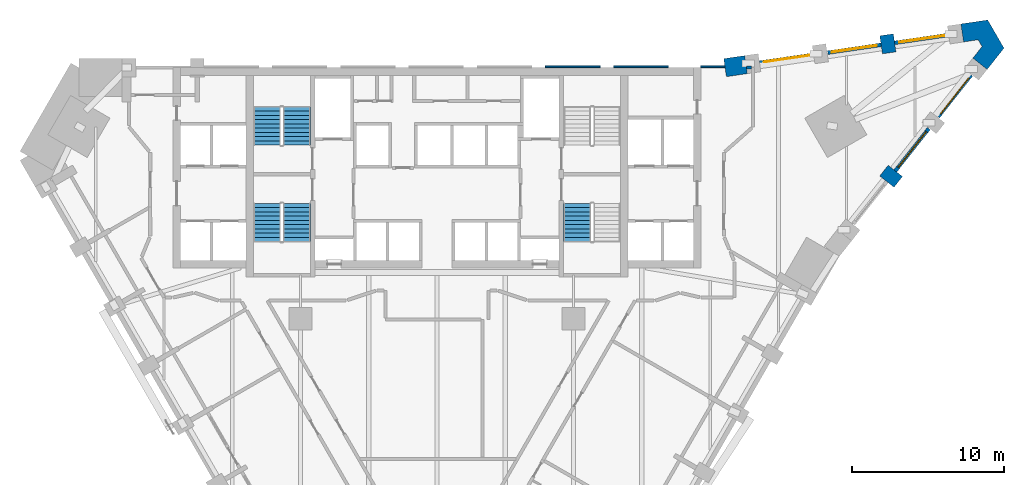
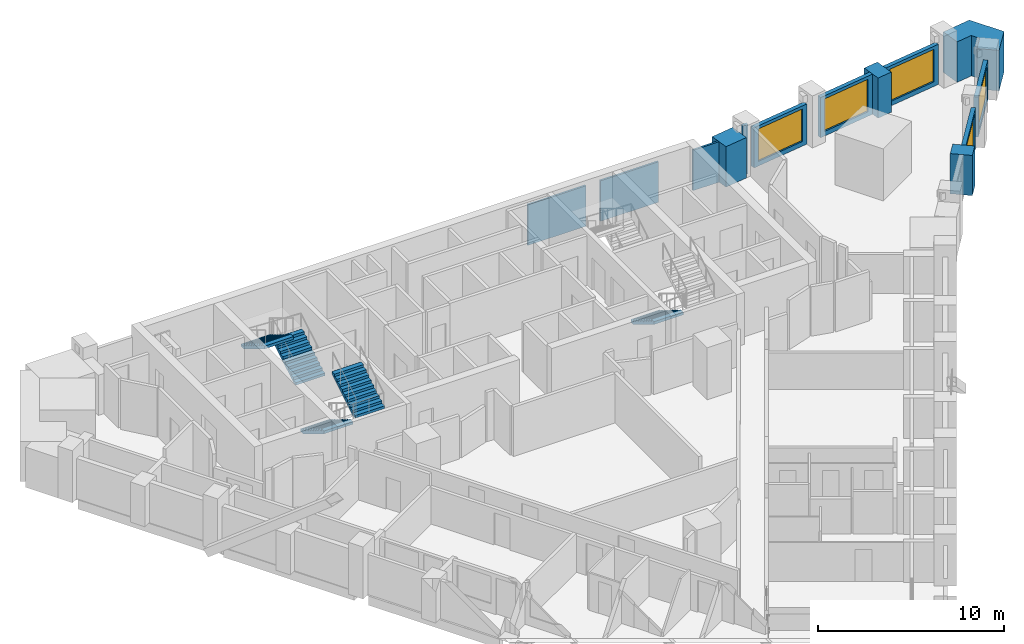
# One storey, part 9 of 11: 13 walls, 5 stair flights, 5 windows, 5 openings, 3 elements without a shape of their own.
"""IFC4 building model written with IfcOpenShell, lengths in metres."""

from ifc_helpers import new_model, si_unit, direction, frame, frame_2d, origin, place, context, subcontext, project, spatial, polyline, rectangle, outline, extrude, faceted_brep, source, transform, mapped, material, layer, layer_set, type_object, element, fill, aggregate, save


model = new_model("IFC4")

# Units and contexts
model_context = context("Model", 3, precision=1e-05, world=origin(), true_north=direction((0.0, 1.0)))
body_context = subcontext(model_context, "Body", "Model", "MODEL_VIEW")
ifc_project = project(units=[si_unit("LENGTHUNIT", "METRE"), si_unit("AREAUNIT", "SQUARE_METRE"), si_unit("VOLUMEUNIT", "CUBIC_METRE"), si_unit("PLANEANGLEUNIT", "RADIAN"), si_unit("MASSUNIT", "GRAM", prefix="KILO")], contexts=[model_context])

# Site, building, storey
site_placement = place(None, origin())
site = spatial("IfcSite", under=ifc_project, at=site_placement, CompositionType="ELEMENT")
building_placement = place(site_placement, origin())
building = spatial("IfcBuilding", under=site, at=building_placement, Name="Calabash Gate Tower", CompositionType="ELEMENT")
storey_placement = place(building_placement, frame((0.0, 0.0, 98.60009765625)))
storey = spatial("IfcBuildingStorey", under=building, at=storey_placement, Name="L21", CompositionType="ELEMENT", Elevation=98.60009765625)

# Walls
ifc_material_1 = material(Name="Terracotta brick masonry, exposed face", Category="masonry")
ifc_layer_1 = layer(ifc_material_1, 1.199951171875)
ifc_layer_set_1 = layer_set([ifc_layer_1], Name="Brick end wall 1200")
wall_type_1 = type_object("IfcWallType", Name="Brick end wall 1200", PredefinedType="SOLIDWALL", material=ifc_layer_set_1)
for number, where, z_axis, x_axis, name in (
    (1, (30.398193359375, 11.5224609375, 0.0), (0.0, 0.0, 1.0), (-0.784330409431, 0.620343299184, 0.0), "Brick pier S05 wedge3.1"),
    (2, (29.63037109375, 21.217041015625, 0.0), (0.0, 0.0, 1.0), (0.144867198998, -0.989451107764, 0.0), "Brick pier S05 wedge5.1"),
):
    element("IfcWall", number, at=place(storey_placement, frame(where, z_axis=z_axis, x_axis=x_axis)), inside=storey, type_object=wall_type_1, Name=name, PredefinedType="SOLIDWALL", context=body_context, shape_type="SweptSolid", body=[
        extrude(rectangle(XDim=1.199951171875, YDim=0.89990234375, at=frame_2d((0.60009765625, 0.0))), origin(), (0.0, 0.0, 1.0), 2.6298828125),
    ])
wall_1_placement = place(storey_placement, origin())
element("IfcWall", 3, at=wall_1_placement, inside=storey, type_object=wall_type_1, Name="Brick end wall S05 2", PredefinedType="SOLIDWALL", context=body_context, shape_type="SweptSolid", body=[
    extrude(outline(polyline([(35.92333984375, 20.443359375), (35.31884765625, 19.678955078125), (36.260009765625, 18.9345703125), (37.369873046875, 20.337890625), (36.298095703125, 22.1943359375), (34.5283203125, 21.934814453125), (34.701904296875, 20.74755859375), (35.666259765625, 20.888916015625), (35.92333984375, 20.443359375)])), origin(), (0.0, 0.0, 1.0), 2.64990234375),
])
wall_2_placement = place(storey_placement, frame((18.98583984375, 19.050537109375, 0.0), z_axis=(0.0, 0.0, 1.0), x_axis=(0.989435994601, 0.144970385211, 0.0)))
element("IfcWall", 4, at=wall_2_placement, inside=storey, type_object=wall_type_1, Name="Brick end wall S05 3", PredefinedType="SOLIDWALL", context=body_context, shape_type="SweptSolid", body=[
    extrude(rectangle(XDim=1.39599609375, YDim=1.199951171875, at=frame_2d((0.697998046875, 0.0))), origin(), (0.0, 0.0, 1.0), 2.64990234375),
])
ifc_material_2 = material(Name="Gypsum board on steel studs, mineral wool", Category="steel")
ifc_layer_2 = layer(ifc_material_2, 0.199951171875)
ifc_layer_set_2 = layer_set([ifc_layer_2], Name="Partition 200 gypsum board EI 60")
wall_type_2 = type_object("IfcWallType", Name="Partition 200 gypsum board EI 60", PredefinedType="PARTITIONING", material=ifc_layer_set_2)
wall_3_placement = place(storey_placement, frame((20.39599609375, 19.052734375, 0.0), z_axis=(0.0, 0.0, 1.0), x_axis=(1.0, 0.0, 0.0)))
element("IfcWall", 5, at=wall_3_placement, inside=storey, type_object=wall_type_2, Name="Partition", PredefinedType="PARTITIONING", context=body_context, shape_type="SweptSolid", body=[
    extrude(rectangle(XDim=0.331298828125, YDim=0.199951171875, at=frame_2d((0.16552734375, 0.0))), origin(), (0.0, 0.0, 1.0), 3.22998046875),
])

# Wall, opening, window
ifc_material_3 = material(Name="Aluminium framed window wall with insulated spandrel", Category="aluminium")
ifc_layer_3 = layer(ifc_material_3, 0.25)
ifc_layer_set_3 = layer_set([ifc_layer_3], Name="Prow window wall 250")
wall_type_3 = type_object("IfcWallType", Name="Prow window wall 250", PredefinedType="ELEMENTEDWALL", material=ifc_layer_set_3)
wall_4_placement = place(storey_placement, frame((30.20556640625, 12.24609375, 0.0), z_axis=(0.0, 0.0, 1.0), x_axis=(0.620334919108, 0.784337037335, 0.0)))
wall_4 = element("IfcWall", 6, at=wall_4_placement, inside=storey, type_object=wall_type_3, Name="Prow window wall S05 wedge3.2", PredefinedType="ELEMENTEDWALL", context=body_context, shape_type="SweptSolid", body=[
    extrude(rectangle(XDim=3.552001953125, YDim=0.25, at=frame_2d((1.77587890625, 0.0))), origin(), (0.0, 0.0, 1.0), 2.6298828125),
])
opening_1_placement = place(wall_4_placement, frame((0.302001953125, 0.0, 0.300048828125)))
opening_1 = element("IfcOpeningElement", 7, at=opening_1_placement, cuts=wall_4, Name="Opening WP1L-2130", PredefinedType="OPENING", context=body_context, shape_type="SweptSolid", body=[
    extrude(rectangle(XDim=3.0, YDim=2.1298828125, at=frame_2d((1.5, 1.06494140625))), frame((0.0, 0.135009765625, 0.0), z_axis=(0.0, -1.0, 0.0), x_axis=(1.0, 0.0, 0.0)), (0.0, 0.0, 1.0), 0.27001953125),
])
ifc_material_4 = material(Name="Anodised aluminium frame, bronze finish, impact-rated laminated clear glazing", Category="aluminium")
window_type = type_object("IfcWindowType", Name="Window WP1L 3000x2130", PartitioningType="DOUBLE_PANEL_VERTICAL", PredefinedType="WINDOW", material=ifc_material_4)
window_1_placement = place(opening_1_placement, origin())
window_1 = element("IfcWindow", 8, at=window_1_placement, inside=storey, type_object=window_type, Name="Prow window WP1L S05 wedge3.2", OverallHeight=2.1298828125, OverallWidth=3.0, PartitioningType="SINGLE_PANEL", PredefinedType="WINDOW", context=body_context, shape_type="SweptSolid", body=[
    extrude(rectangle(XDim=3.0, YDim=2.1298828125, at=frame_2d((1.5, 1.06494140625))), frame((0.0, 0.030029296875, 0.0), z_axis=(0.0, -1.0, 0.0), x_axis=(1.0, 0.0, 0.0)), (0.0, 0.0, 1.0), 0.06005859375),
])
fill(opening_1, window_1)

wall_5_placement = place(storey_placement, frame((33.029052734375, 15.81640625, 0.0), z_axis=(0.0, 0.0, 1.0), x_axis=(0.620304451578, 0.78436113325, 0.0)))
wall_5 = element("IfcWall", 9, at=wall_5_placement, inside=storey, type_object=wall_type_3, Name="Prow window wall S05 wedge3.3", PredefinedType="ELEMENTEDWALL", context=body_context, shape_type="SweptSolid", body=[
    extrude(rectangle(XDim=3.500244140625, YDim=0.25, at=frame_2d((1.75, 0.0))), origin(), (0.0, 0.0, 1.0), 2.6298828125),
])
opening_2_placement = place(wall_5_placement, frame((0.25, 0.0, 0.300048828125)))
opening_2 = element("IfcOpeningElement", 10, at=opening_2_placement, cuts=wall_5, Name="Opening WP1L-2130", PredefinedType="OPENING", context=body_context, shape_type="SweptSolid", body=[
    extrude(rectangle(XDim=3.0, YDim=2.1298828125, at=frame_2d((1.5, 1.06494140625))), frame((0.0, 0.135009765625, 0.0), z_axis=(0.0, -1.0, 0.0), x_axis=(1.0, 0.0, 0.0)), (0.0, 0.0, 1.0), 0.27001953125),
])
window_2_placement = place(opening_2_placement, origin())
window_2 = element("IfcWindow", 11, at=window_2_placement, inside=storey, type_object=window_type, Name="Prow window WP1L S05 wedge3.3", OverallHeight=2.1298828125, OverallWidth=3.0, PartitioningType="SINGLE_PANEL", PredefinedType="WINDOW", context=body_context, shape_type="SweptSolid", body=[
    extrude(rectangle(XDim=3.0, YDim=2.1298828125, at=frame_2d((1.5, 1.06494140625))), frame((0.0, 0.030029296875, 0.0), z_axis=(0.0, -1.0, 0.0), x_axis=(1.0, 0.0, 0.0)), (0.0, 0.0, 1.0), 0.06005859375),
])
fill(opening_2, window_2)

wall_6_placement = place(storey_placement, frame((33.724609375, 21.210693359375, 0.0), z_axis=(0.0, 0.0, 1.0), x_axis=(-0.98942335115, -0.145056651687, 0.0)))
wall_6 = element("IfcWall", 12, at=wall_6_placement, inside=storey, type_object=wall_type_3, Name="Prow window wall S05 wedge5.1", PredefinedType="ELEMENTEDWALL", context=body_context, shape_type="SweptSolid", body=[
    extrude(rectangle(XDim=3.60009765625, YDim=0.25, at=frame_2d((1.800048828125, 0.0))), origin(), (0.0, 0.0, 1.0), 2.6298828125),
])
opening_3_placement = place(wall_6_placement, frame((0.300048828125, 0.0, 0.300048828125)))
opening_3 = element("IfcOpeningElement", 13, at=opening_3_placement, cuts=wall_6, Name="Opening WP1L-2130", PredefinedType="OPENING", context=body_context, shape_type="SweptSolid", body=[
    extrude(rectangle(XDim=3.0, YDim=2.1298828125, at=frame_2d((1.5, 1.06494140625))), frame((0.0, 0.135009765625, 0.0), z_axis=(0.0, -1.0, 0.0), x_axis=(1.0, 0.0, 0.0)), (0.0, 0.0, 1.0), 0.27001953125),
])
window_3_placement = place(opening_3_placement, origin())
window_3 = element("IfcWindow", 14, at=window_3_placement, inside=storey, type_object=window_type, Name="Prow window WP1L S05 wedge5.1", OverallHeight=2.1298828125, OverallWidth=3.0, PartitioningType="SINGLE_PANEL", PredefinedType="WINDOW", context=body_context, shape_type="SweptSolid", body=[
    extrude(rectangle(XDim=3.0, YDim=2.1298828125, at=frame_2d((1.5, 1.06494140625))), frame((0.0, 0.030029296875, 0.0), z_axis=(0.0, -1.0, 0.0), x_axis=(1.0, 0.0, 0.0)), (0.0, 0.0, 1.0), 0.06005859375),
])
fill(opening_3, window_3)

wall_7_placement = place(storey_placement, frame((29.27392578125, 20.558349609375, 0.0), z_axis=(0.0, 0.0, 1.0), x_axis=(-0.989427410985, -0.145028957081, 0.0)))
wall_7 = element("IfcWall", 15, at=wall_7_placement, inside=storey, type_object=wall_type_3, Name="Prow window wall S05 wedge5.2", PredefinedType="ELEMENTEDWALL", context=body_context, shape_type="SweptSolid", body=[
    extrude(rectangle(XDim=3.552001953125, YDim=0.25, at=frame_2d((1.77587890625, 0.0))), origin(), (0.0, 0.0, 1.0), 2.6298828125),
])
opening_4_placement = place(wall_7_placement, frame((0.302001953125, 0.0, 0.300048828125)))
opening_4 = element("IfcOpeningElement", 16, at=opening_4_placement, cuts=wall_7, Name="Opening WP1L-2130", PredefinedType="OPENING", context=body_context, shape_type="SweptSolid", body=[
    extrude(rectangle(XDim=3.0, YDim=2.1298828125, at=frame_2d((1.5, 1.06494140625))), frame((0.0, 0.135009765625, 0.0), z_axis=(0.0, -1.0, 0.0), x_axis=(1.0, 0.0, 0.0)), (0.0, 0.0, 1.0), 0.27001953125),
])
window_4_placement = place(opening_4_placement, origin())
window_4 = element("IfcWindow", 17, at=window_4_placement, inside=storey, type_object=window_type, Name="Prow window WP1L S05 wedge5.2", OverallHeight=2.1298828125, OverallWidth=3.0, PartitioningType="SINGLE_PANEL", PredefinedType="WINDOW", context=body_context, shape_type="SweptSolid", body=[
    extrude(rectangle(XDim=3.0, YDim=2.1298828125, at=frame_2d((1.5, 1.06494140625))), frame((0.0, 0.030029296875, 0.0), z_axis=(0.0, -1.0, 0.0), x_axis=(1.0, 0.0, 0.0)), (0.0, 0.0, 1.0), 0.06005859375),
])
fill(opening_4, window_4)

wall_8_placement = place(storey_placement, frame((24.819580078125, 19.905517578125, 0.0), z_axis=(0.0, 0.0, 1.0), x_axis=(-0.989433082017, -0.144990262464, 0.0)))
wall_8 = element("IfcWall", 18, at=wall_8_placement, inside=storey, type_object=wall_type_3, Name="Prow window wall S05 wedge5.3", PredefinedType="ELEMENTEDWALL", context=body_context, shape_type="SweptSolid", body=[
    extrude(rectangle(XDim=3.60009765625, YDim=0.25, at=frame_2d((1.800048828125, 0.0))), origin(), (0.0, 0.0, 1.0), 2.6298828125),
])
opening_5_placement = place(wall_8_placement, frame((0.300048828125, 0.0, 0.300048828125)))
opening_5 = element("IfcOpeningElement", 19, at=opening_5_placement, cuts=wall_8, Name="Opening WP1L-2130", PredefinedType="OPENING", context=body_context, shape_type="SweptSolid", body=[
    extrude(rectangle(XDim=3.0, YDim=2.1298828125, at=frame_2d((1.5, 1.06494140625))), frame((0.0, 0.135009765625, 0.0), z_axis=(0.0, -1.0, 0.0), x_axis=(1.0, 0.0, 0.0)), (0.0, 0.0, 1.0), 0.27001953125),
])
window_5_placement = place(opening_5_placement, origin())
window_5 = element("IfcWindow", 20, at=window_5_placement, inside=storey, type_object=window_type, Name="Prow window WP1L S05 wedge5.3", OverallHeight=2.1298828125, OverallWidth=3.0, PartitioningType="SINGLE_PANEL", PredefinedType="WINDOW", context=body_context, shape_type="SweptSolid", body=[
    extrude(rectangle(XDim=3.0, YDim=2.1298828125, at=frame_2d((1.5, 1.06494140625))), frame((0.0, 0.030029296875, 0.0), z_axis=(0.0, -1.0, 0.0), x_axis=(1.0, 0.0, 0.0)), (0.0, 0.0, 1.0), 0.06005859375),
])
fill(opening_5, window_5)

# Walls
ifc_material_5 = material(Name="Terracotta brick masonry, perforated", Category="masonry")
ifc_layer_4 = layer(ifc_material_5, 0.1201171875)
ifc_layer_set_4 = layer_set([ifc_layer_4], Name="Terracotta jaali cladding A 120")
wall_type_4 = type_object("IfcWallType", Name="Terracotta jaali cladding A 120", PredefinedType="SOLIDWALL", material=ifc_layer_set_4)
wall_9_placement = place(storey_placement, origin())
element("IfcWall", 21, at=wall_9_placement, inside=storey, type_object=wall_type_4, Name="Jaali cladding S05 N6.1", PredefinedType="SOLIDWALL", context=body_context, shape_type="SweptSolid", body=[
    extrude(outline(polyline([(11.64501953125, 19.172607421875), (11.64501953125, 19.052490234375), (15.244873046875, 19.052490234375), (15.244873046875, 19.172607421875), (11.64501953125, 19.172607421875)])), origin(), (0.0, 0.0, 1.0), 2.64990234375),
])
wall_10_placement = place(storey_placement, frame((17.3798828125, 19.112548828125, 0.0), z_axis=(0.0, 0.0, 1.0), x_axis=(1.0, 0.0, 0.0)))
element("IfcWall", 22, at=wall_10_placement, inside=storey, type_object=wall_type_4, Name="Jaali cladding S05 N6.c1", PredefinedType="SOLIDWALL", context=body_context, shape_type="SweptSolid", body=[
    extrude(rectangle(XDim=1.590087890625, YDim=0.1201171875, at=frame_2d((0.794921875, 0.0))), origin(), (0.0, 0.0, 1.0), 2.64990234375),
])
ifc_material_6 = material(Name="Terracotta louvre blades in an aluminium frame", Category="masonry")
ifc_layer_5 = layer(ifc_material_6, 0.1201171875)
ifc_layer_set_5 = layer_set([ifc_layer_5], Name="Terracotta vent louvre cladding 120")
wall_type_5 = type_object("IfcWallType", Name="Terracotta vent louvre cladding 120", PredefinedType="ELEMENTEDWALL", material=ifc_layer_set_5)
wall_11_placement = place(storey_placement, origin())
element("IfcWall", 23, at=wall_11_placement, inside=storey, type_object=wall_type_5, Name="Vent louvre cladding S05 N6.2", PredefinedType="ELEMENTEDWALL", context=body_context, shape_type="SweptSolid", body=[
    extrude(outline(polyline([(7.14501953125, 19.172607421875), (7.14501953125, 19.052490234375), (10.744873046875, 19.052490234375), (10.744873046875, 19.172607421875), (7.14501953125, 19.172607421875)])), origin(), (0.0, 0.0, 1.0), 2.64990234375),
])

# Stair, stair flights
ifc_material_7 = material(Name="Concrete C40/50", Category="concrete")
stair_type = type_object("IfcStairType", Name="Exit stair 20 risers of 170 mm", PredefinedType="HALF_TURN_STAIR", material=ifc_material_7)
stair_1_placement = place(storey_placement, origin())
stair_1 = element("IfcStair", 24, at=stair_1_placement, inside=storey, type_object=stair_type, Name="L21 Exit stair ST1", PredefinedType="HALF_TURN_STAIR")
ifc_material_8 = material(Name="Concrete C40/50", Category="concrete")
stair_flight_type = type_object("IfcStairFlightType", Name="Exit stair flight SFL", PredefinedType="STRAIGHT", material=ifc_material_8)
shared_shape = source(origin(), body_context, "Body", "Brep", [
    faceted_brep([(-0.0009765625, -0.89990234375, 0.0), (0.2880859375, -0.89990234375, 0.0), (2.511962890625, -0.89990234375, 1.3544921875), (-0.0009765625, 0.89990234375, 0.0), (2.511962890625, 0.89990234375, 1.3544921875), (0.2880859375, 0.89990234375, 0.0), (2.511962890625, -0.89990234375, 1.5419921875), (2.510986328125, -0.89990234375, 1.5419921875), (2.510986328125, 0.89990234375, 1.5419921875), (2.511962890625, 0.89990234375, 1.5419921875), (2.510986328125, -0.89990234375, 1.530029296875), (2.510986328125, 0.89990234375, 1.530029296875), (2.23193359375, -0.89990234375, 1.530029296875), (2.23193359375, 0.89990234375, 1.530029296875), (2.23193359375, -0.89990234375, 1.360107421875), (2.23193359375, 0.89990234375, 1.360107421875), (1.952880859375, -0.89990234375, 1.360107421875), (1.952880859375, 0.89990234375, 1.360107421875), (1.952880859375, -0.89990234375, 1.18994140625), (1.952880859375, 0.89990234375, 1.18994140625), (1.674072265625, -0.89990234375, 1.18994140625), (1.674072265625, -0.89990234375, 1.02001953125), (1.674072265625, 0.89990234375, 1.02001953125), (1.674072265625, 0.89990234375, 1.18994140625), (1.39501953125, -0.89990234375, 1.02001953125), (1.39501953125, -0.89990234375, 0.85009765625), (1.39501953125, 0.89990234375, 0.85009765625), (1.39501953125, 0.89990234375, 1.02001953125), (1.115966796875, -0.89990234375, 0.85009765625), (1.115966796875, -0.89990234375, 0.679931640625), (1.115966796875, 0.89990234375, 0.679931640625), (1.115966796875, 0.89990234375, 0.85009765625), (0.8369140625, -0.89990234375, 0.679931640625), (0.8369140625, -0.89990234375, 0.510009765625), (0.8369140625, 0.89990234375, 0.510009765625), (0.8369140625, 0.89990234375, 0.679931640625), (0.55810546875, -0.89990234375, 0.510009765625), (0.55810546875, -0.89990234375, 0.340087890625), (0.55810546875, 0.89990234375, 0.340087890625), (0.55810546875, 0.89990234375, 0.510009765625), (0.279052734375, -0.89990234375, 0.340087890625), (0.279052734375, -0.89990234375, 0.169921875), (0.279052734375, 0.89990234375, 0.169921875), (0.279052734375, 0.89990234375, 0.340087890625), (-0.0009765625, -0.89990234375, 0.169921875), (-0.0009765625, 0.89990234375, 0.169921875), (0.2880859375, -0.360107421875, 0.0), (2.511962890625, -0.360107421875, 1.3544921875), (0.2880859375, -0.179931640625, 0.0), (2.511962890625, -0.179931640625, 1.3544921875), (0.2880859375, 0.0, 0.0), (2.511962890625, 0.0, 1.3544921875), (0.2880859375, 0.179931640625, 0.0), (2.511962890625, 0.179931640625, 1.3544921875), (0.2880859375, 0.360107421875, 0.0), (2.511962890625, 0.360107421875, 1.3544921875), (2.511962890625, -0.360107421875, 1.5419921875), (2.511962890625, -0.179931640625, 1.5419921875), (2.511962890625, 0.0, 1.5419921875), (2.511962890625, 0.179931640625, 1.5419921875), (2.511962890625, 0.360107421875, 1.5419921875), (2.510986328125, -0.360107421875, 1.5419921875), (2.510986328125, -0.179931640625, 1.5419921875), (2.510986328125, 0.0, 1.5419921875), (2.510986328125, 0.179931640625, 1.5419921875), (2.510986328125, 0.360107421875, 1.5419921875), (2.510986328125, -0.360107421875, 1.530029296875), (2.510986328125, -0.179931640625, 1.530029296875), (2.510986328125, 0.0, 1.530029296875), (2.510986328125, 0.179931640625, 1.530029296875), (2.510986328125, 0.360107421875, 1.530029296875), (2.23193359375, -0.360107421875, 1.530029296875), (2.23193359375, -0.179931640625, 1.530029296875), (2.23193359375, 0.0, 1.530029296875), (2.23193359375, 0.179931640625, 1.530029296875), (2.23193359375, 0.360107421875, 1.530029296875), (2.23193359375, -0.360107421875, 1.360107421875), (2.23193359375, -0.179931640625, 1.360107421875), (2.23193359375, 0.0, 1.360107421875), (2.23193359375, 0.179931640625, 1.360107421875), (2.23193359375, 0.360107421875, 1.360107421875), (1.952880859375, -0.360107421875, 1.360107421875), (1.952880859375, -0.179931640625, 1.360107421875), (1.952880859375, 0.0, 1.360107421875), (1.952880859375, 0.179931640625, 1.360107421875), (1.952880859375, 0.360107421875, 1.360107421875), (1.952880859375, -0.360107421875, 1.18994140625), (1.952880859375, -0.179931640625, 1.18994140625), (1.952880859375, 0.0, 1.18994140625), (1.952880859375, 0.179931640625, 1.18994140625), (1.952880859375, 0.360107421875, 1.18994140625), (1.674072265625, -0.360107421875, 1.18994140625), (1.674072265625, -0.179931640625, 1.18994140625), (1.674072265625, 0.0, 1.18994140625), (1.674072265625, 0.179931640625, 1.18994140625), (1.674072265625, 0.360107421875, 1.18994140625), (1.674072265625, -0.360107421875, 1.02001953125), (1.674072265625, -0.179931640625, 1.02001953125), (1.674072265625, 0.0, 1.02001953125), (1.674072265625, 0.179931640625, 1.02001953125), (1.674072265625, 0.360107421875, 1.02001953125), (1.39501953125, -0.360107421875, 1.02001953125), (1.39501953125, -0.179931640625, 1.02001953125), (1.39501953125, 0.0, 1.02001953125), (1.39501953125, 0.179931640625, 1.02001953125), (1.39501953125, 0.360107421875, 1.02001953125), (1.39501953125, -0.360107421875, 0.85009765625), (1.39501953125, -0.179931640625, 0.85009765625), (1.39501953125, 0.0, 0.85009765625), (1.39501953125, 0.179931640625, 0.85009765625), (1.39501953125, 0.360107421875, 0.85009765625), (1.115966796875, -0.360107421875, 0.85009765625), (1.115966796875, -0.179931640625, 0.85009765625), (1.115966796875, 0.0, 0.85009765625), (1.115966796875, 0.179931640625, 0.85009765625), (1.115966796875, 0.360107421875, 0.85009765625), (1.115966796875, -0.360107421875, 0.679931640625), (1.115966796875, -0.179931640625, 0.679931640625), (1.115966796875, 0.0, 0.679931640625), (1.115966796875, 0.179931640625, 0.679931640625), (1.115966796875, 0.360107421875, 0.679931640625), (0.8369140625, -0.360107421875, 0.679931640625), (0.8369140625, -0.179931640625, 0.679931640625), (0.8369140625, 0.0, 0.679931640625), (0.8369140625, 0.179931640625, 0.679931640625), (0.8369140625, 0.360107421875, 0.679931640625), (0.8369140625, -0.360107421875, 0.510009765625), (0.8369140625, -0.179931640625, 0.510009765625), (0.8369140625, 0.0, 0.510009765625), (0.8369140625, 0.179931640625, 0.510009765625), (0.8369140625, 0.360107421875, 0.510009765625), (0.55810546875, -0.360107421875, 0.510009765625), (0.55810546875, -0.179931640625, 0.510009765625), (0.55810546875, 0.0, 0.510009765625), (0.55810546875, 0.179931640625, 0.510009765625), (0.55810546875, 0.360107421875, 0.510009765625), (0.55810546875, -0.360107421875, 0.340087890625), (0.55810546875, -0.179931640625, 0.340087890625), (0.55810546875, 0.0, 0.340087890625), (0.55810546875, 0.179931640625, 0.340087890625), (0.55810546875, 0.360107421875, 0.340087890625), (0.279052734375, -0.360107421875, 0.340087890625), (0.279052734375, -0.179931640625, 0.340087890625), (0.279052734375, 0.0, 0.340087890625), (0.279052734375, 0.179931640625, 0.340087890625), (0.279052734375, 0.360107421875, 0.340087890625), (0.279052734375, -0.360107421875, 0.169921875), (0.279052734375, -0.179931640625, 0.169921875), (0.279052734375, 0.0, 0.169921875), (0.279052734375, 0.179931640625, 0.169921875), (0.279052734375, 0.360107421875, 0.169921875), (-0.0009765625, -0.360107421875, 0.169921875), (-0.0009765625, -0.179931640625, 0.169921875), (-0.0009765625, 0.0, 0.169921875), (-0.0009765625, 0.179931640625, 0.169921875), (-0.0009765625, 0.360107421875, 0.169921875), (-0.0009765625, -0.360107421875, 0.0), (-0.0009765625, -0.179931640625, 0.0), (-0.0009765625, 0.0, 0.0), (-0.0009765625, 0.179931640625, 0.0), (-0.0009765625, 0.360107421875, 0.0)], [[[0, 1, 2]], [[3, 4, 5]], [[2, 6, 7]], [[4, 8, 9]], [[2, 7, 10]], [[4, 11, 8]], [[2, 10, 12]], [[4, 13, 11]], [[2, 12, 14]], [[4, 15, 13]], [[2, 14, 16]], [[4, 17, 15]], [[2, 16, 18]], [[4, 19, 17]], [[18, 20, 21]], [[19, 22, 23]], [[2, 18, 21]], [[4, 22, 19]], [[21, 24, 25]], [[22, 26, 27]], [[2, 21, 25]], [[4, 26, 22]], [[25, 28, 29]], [[26, 30, 31]], [[2, 25, 29]], [[4, 30, 26]], [[29, 32, 33]], [[30, 34, 35]], [[2, 29, 33]], [[4, 34, 30]], [[33, 36, 37]], [[34, 38, 39]], [[2, 33, 37]], [[4, 38, 34]], [[37, 40, 41]], [[38, 42, 43]], [[2, 37, 41]], [[4, 42, 38]], [[0, 2, 41]], [[3, 42, 4]], [[41, 44, 0]], [[42, 3, 45]], [[1, 46, 2]], [[46, 47, 2]], [[46, 48, 47]], [[48, 49, 47]], [[48, 50, 49]], [[50, 51, 49]], [[50, 52, 53]], [[50, 53, 51]], [[52, 54, 55]], [[52, 55, 53]], [[54, 5, 4]], [[54, 4, 55]], [[2, 47, 6]], [[47, 56, 6]], [[47, 49, 56]], [[49, 57, 56]], [[49, 51, 57]], [[51, 58, 57]], [[51, 53, 59]], [[51, 59, 58]], [[53, 55, 60]], [[53, 60, 59]], [[55, 4, 9]], [[55, 9, 60]], [[6, 56, 7]], [[56, 61, 7]], [[56, 57, 61]], [[57, 62, 61]], [[57, 58, 62]], [[58, 63, 62]], [[58, 59, 64]], [[58, 64, 63]], [[59, 60, 65]], [[59, 65, 64]], [[60, 9, 8]], [[60, 8, 65]], [[7, 61, 10]], [[61, 66, 10]], [[61, 62, 66]], [[62, 67, 66]], [[62, 63, 67]], [[63, 68, 67]], [[63, 64, 69]], [[63, 69, 68]], [[64, 65, 70]], [[64, 70, 69]], [[65, 8, 11]], [[65, 11, 70]], [[10, 66, 12]], [[66, 71, 12]], [[66, 67, 71]], [[67, 72, 71]], [[67, 68, 72]], [[68, 73, 72]], [[68, 69, 74]], [[68, 74, 73]], [[69, 70, 75]], [[69, 75, 74]], [[70, 11, 13]], [[70, 13, 75]], [[12, 71, 14]], [[71, 76, 14]], [[71, 72, 76]], [[72, 77, 76]], [[72, 73, 77]], [[73, 78, 77]], [[73, 74, 79]], [[73, 79, 78]], [[74, 75, 80]], [[74, 80, 79]], [[75, 13, 15]], [[75, 15, 80]], [[14, 76, 16]], [[76, 81, 16]], [[76, 77, 81]], [[77, 82, 81]], [[77, 78, 82]], [[78, 83, 82]], [[78, 79, 84]], [[78, 84, 83]], [[79, 80, 85]], [[79, 85, 84]], [[80, 15, 17]], [[80, 17, 85]], [[16, 81, 18]], [[81, 86, 18]], [[81, 82, 86]], [[82, 87, 86]], [[82, 83, 87]], [[83, 88, 87]], [[83, 84, 89]], [[83, 89, 88]], [[84, 85, 90]], [[84, 90, 89]], [[85, 17, 19]], [[85, 19, 90]], [[18, 86, 20]], [[86, 91, 20]], [[86, 87, 91]], [[87, 92, 91]], [[87, 88, 92]], [[88, 93, 92]], [[88, 89, 94]], [[88, 94, 93]], [[89, 90, 95]], [[89, 95, 94]], [[90, 19, 23]], [[90, 23, 95]], [[20, 91, 21]], [[91, 96, 21]], [[91, 92, 96]], [[92, 97, 96]], [[92, 93, 97]], [[93, 98, 97]], [[93, 94, 99]], [[93, 99, 98]], [[94, 95, 100]], [[94, 100, 99]], [[95, 23, 22]], [[95, 22, 100]], [[21, 96, 24]], [[96, 101, 24]], [[96, 97, 101]], [[97, 102, 101]], [[97, 98, 102]], [[98, 103, 102]], [[98, 99, 104]], [[98, 104, 103]], [[99, 100, 105]], [[99, 105, 104]], [[100, 22, 27]], [[100, 27, 105]], [[24, 101, 25]], [[101, 106, 25]], [[101, 102, 106]], [[102, 107, 106]], [[102, 103, 107]], [[103, 108, 107]], [[103, 104, 109]], [[103, 109, 108]], [[104, 105, 110]], [[104, 110, 109]], [[105, 27, 26]], [[105, 26, 110]], [[25, 106, 28]], [[106, 111, 28]], [[106, 107, 111]], [[107, 112, 111]], [[107, 108, 112]], [[108, 113, 112]], [[108, 109, 114]], [[108, 114, 113]], [[109, 110, 115]], [[109, 115, 114]], [[110, 26, 31]], [[110, 31, 115]], [[28, 111, 29]], [[111, 116, 29]], [[111, 112, 116]], [[112, 117, 116]], [[112, 113, 117]], [[113, 118, 117]], [[113, 114, 119]], [[113, 119, 118]], [[114, 115, 120]], [[114, 120, 119]], [[115, 31, 30]], [[115, 30, 120]], [[29, 116, 32]], [[116, 121, 32]], [[116, 117, 121]], [[117, 122, 121]], [[117, 118, 122]], [[118, 123, 122]], [[118, 119, 124]], [[118, 124, 123]], [[119, 120, 125]], [[119, 125, 124]], [[120, 30, 35]], [[120, 35, 125]], [[32, 121, 33]], [[121, 126, 33]], [[121, 122, 126]], [[122, 127, 126]], [[122, 123, 127]], [[123, 128, 127]], [[123, 124, 129]], [[123, 129, 128]], [[124, 125, 130]], [[124, 130, 129]], [[125, 35, 34]], [[125, 34, 130]], [[33, 126, 36]], [[126, 131, 36]], [[126, 127, 131]], [[127, 132, 131]], [[127, 128, 132]], [[128, 133, 132]], [[128, 129, 134]], [[128, 134, 133]], [[129, 130, 135]], [[129, 135, 134]], [[130, 34, 39]], [[130, 39, 135]], [[36, 131, 37]], [[131, 136, 37]], [[131, 132, 136]], [[132, 137, 136]], [[132, 133, 137]], [[133, 138, 137]], [[133, 134, 139]], [[133, 139, 138]], [[134, 135, 140]], [[134, 140, 139]], [[135, 39, 38]], [[135, 38, 140]], [[37, 136, 40]], [[136, 141, 40]], [[136, 137, 141]], [[137, 142, 141]], [[137, 138, 142]], [[138, 143, 142]], [[138, 139, 144]], [[138, 144, 143]], [[139, 140, 145]], [[139, 145, 144]], [[140, 38, 43]], [[140, 43, 145]], [[40, 141, 41]], [[141, 146, 41]], [[141, 142, 146]], [[142, 147, 146]], [[142, 143, 147]], [[143, 148, 147]], [[143, 144, 149]], [[143, 149, 148]], [[144, 145, 150]], [[144, 150, 149]], [[145, 43, 42]], [[145, 42, 150]], [[41, 146, 44]], [[146, 151, 44]], [[146, 147, 151]], [[147, 152, 151]], [[147, 148, 152]], [[148, 153, 152]], [[148, 149, 154]], [[148, 154, 153]], [[149, 150, 155]], [[149, 155, 154]], [[150, 42, 45]], [[150, 45, 155]], [[44, 151, 0]], [[151, 156, 0]], [[151, 152, 156]], [[152, 157, 156]], [[152, 153, 157]], [[153, 158, 157]], [[153, 154, 159]], [[153, 159, 158]], [[154, 155, 160]], [[154, 160, 159]], [[155, 45, 3]], [[155, 3, 160]], [[0, 156, 1]], [[156, 46, 1]], [[156, 157, 46]], [[157, 48, 46]], [[157, 158, 48]], [[158, 50, 48]], [[158, 159, 52]], [[158, 52, 50]], [[159, 160, 54]], [[159, 54, 52]], [[160, 3, 5]], [[160, 5, 54]]]),
])
stair_flight_1_placement = place(storey_placement, frame((-9.25, 13.95263671875, 0.0), z_axis=(0.0, 0.0, 1.0), x_axis=(0.0, 1.0, 0.0)))
stair_flight_1 = element("IfcStairFlight", 25, at=stair_flight_1_placement, type_object=stair_flight_type, Name="ST1 flight 1", NumberOfRisers=10, NumberOfTreads=9, PredefinedType="STRAIGHT", RiserHeight=0.17, TreadLength=0.279, context=body_context, shape_type="MappedRepresentation", body=[
    mapped(shared_shape, transform((0.0, 0.0, 0.0), scale=1.0)),
])
stair_flight_2_placement = place(storey_placement, frame((-11.199951171875, 16.463623046875, 1.699951171875), z_axis=(0.0, 0.0, 1.0), x_axis=(0.0, -1.0, 0.0)))
stair_flight_2 = element("IfcStairFlight", 26, at=stair_flight_2_placement, type_object=stair_flight_type, Name="ST1 flight 2", NumberOfRisers=10, NumberOfTreads=9, PredefinedType="STRAIGHT", RiserHeight=0.17, TreadLength=0.279, context=body_context, shape_type="MappedRepresentation", body=[
    mapped(shared_shape, transform((0.0, 0.0, 0.0), scale=1.0)),
])
aggregate(stair_1, [stair_flight_1, stair_flight_2])

stair_2_placement = place(storey_placement, origin())
stair_2 = element("IfcStair", 27, at=stair_2_placement, inside=storey, type_object=stair_type, Name="L21 Exit stair ST2", PredefinedType="HALF_TURN_STAIR")
stair_flight_3_placement = place(storey_placement, frame((-11.199951171875, 10.1025390625, 0.0), z_axis=(0.0, 0.0, 1.0), x_axis=(0.0, -1.0, 0.0)))
stair_flight_3 = element("IfcStairFlight", 28, at=stair_flight_3_placement, type_object=stair_flight_type, Name="ST2 flight 1", NumberOfRisers=10, NumberOfTreads=9, PredefinedType="STRAIGHT", RiserHeight=0.17, TreadLength=0.279, context=body_context, shape_type="MappedRepresentation", body=[
    mapped(shared_shape, transform((0.0, 0.0, 0.0), scale=1.0)),
])
stair_flight_4_placement = place(storey_placement, frame((-9.25, 7.591552734375, 1.699951171875), z_axis=(0.0, 0.0, 1.0), x_axis=(0.0, 1.0, 0.0)))
stair_flight_4 = element("IfcStairFlight", 29, at=stair_flight_4_placement, type_object=stair_flight_type, Name="ST2 flight 2", NumberOfRisers=10, NumberOfTreads=9, PredefinedType="STRAIGHT", RiserHeight=0.17, TreadLength=0.279, context=body_context, shape_type="MappedRepresentation", body=[
    mapped(shared_shape, transform((0.0, 0.0, 0.0), scale=1.0)),
])
aggregate(stair_2, [stair_flight_3, stair_flight_4])

# Stair, stair flight
stair_3_placement = place(storey_placement, origin())
stair_3 = element("IfcStair", 30, at=stair_3_placement, inside=storey, type_object=stair_type, Name="L21 Exit stair ST4", PredefinedType="HALF_TURN_STAIR")
stair_flight_5_placement = place(storey_placement, frame((9.25, 10.1025390625, 0.0), z_axis=(0.0, 0.0, 1.0), x_axis=(0.0, -1.0, 0.0)))
stair_flight_5 = element("IfcStairFlight", 31, at=stair_flight_5_placement, type_object=stair_flight_type, Name="ST4 flight 1", NumberOfRisers=10, NumberOfTreads=9, PredefinedType="STRAIGHT", RiserHeight=0.17, TreadLength=0.279, context=body_context, shape_type="MappedRepresentation", body=[
    mapped(shared_shape, transform((0.0, 0.0, 0.0), scale=1.0)),
])
aggregate(stair_3, [stair_flight_5])

save(model, "model.ifc")
